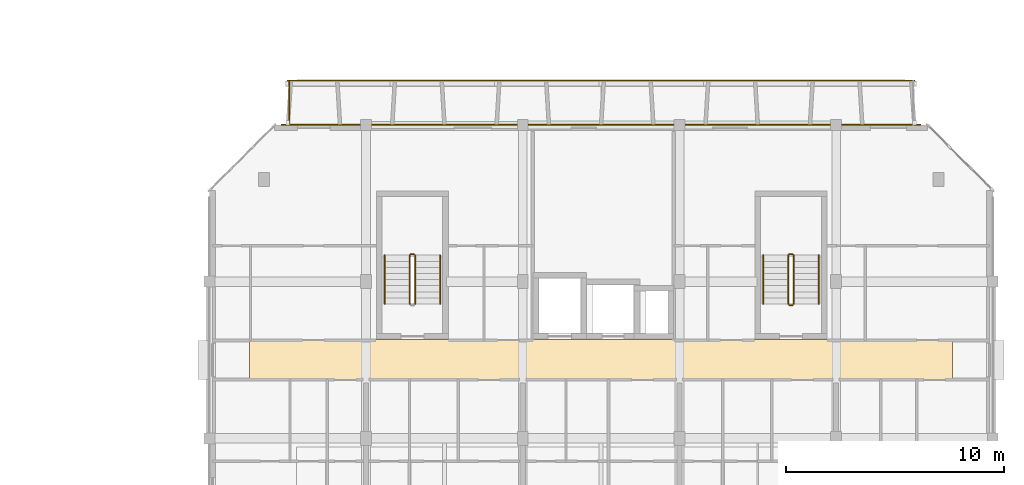
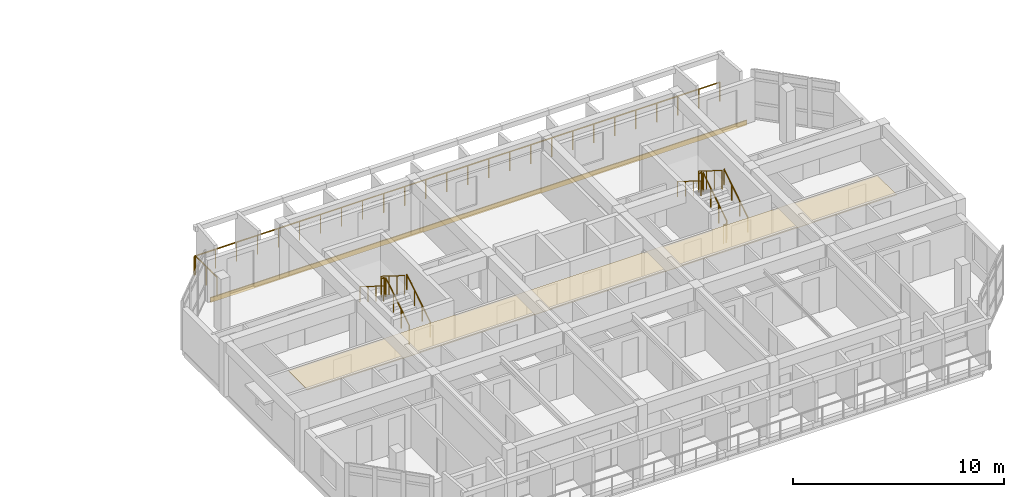
# One storey, part 42 of 45: 13 railings, 2 coverings.
"""IFC4 building model written with IfcOpenShell, lengths in metres."""

from ifc_helpers import new_model, si_unit, direction, frame, origin, origin_2d, place, context, subcontext, project, spatial, polyline, rectangle, circle, outline, extrude, material, layer, layer_set, type_object, element, save


model = new_model("IFC4")

# Units and contexts
model_context = context("Model", 3, precision=1e-05, world=origin(), true_north=direction((0.0, 1.0)))
body_context = subcontext(model_context, "Body", "Model", "MODEL_VIEW")
ifc_project = project(units=[si_unit("LENGTHUNIT", "METRE"), si_unit("AREAUNIT", "SQUARE_METRE"), si_unit("VOLUMEUNIT", "CUBIC_METRE"), si_unit("PLANEANGLEUNIT", "RADIAN"), si_unit("MASSUNIT", "GRAM", prefix="KILO")], contexts=[model_context])

# Site, building, storey
site_placement = place(None, origin())
site = spatial("IfcSite", under=ifc_project, at=site_placement, CompositionType="ELEMENT")
building_placement = place(site_placement, origin())
building = spatial("IfcBuilding", under=site, at=building_placement, Name="Ochrevale Crest", CompositionType="ELEMENT")
storey_placement = place(building_placement, frame((0.0, 0.0, 18.14990234375)))
storey = spatial("IfcBuildingStorey", under=building, at=storey_placement, Name="L05", CompositionType="ELEMENT", Elevation=18.14990234375)

# Coverings
ifc_material_1 = material(Name="Gypsum plasterboard", Category="gypsum")
ifc_layer_1 = layer(ifc_material_1, 0.02490234375)
ifc_layer_set_1 = layer_set([ifc_layer_1], Name="Gypsum plasterboard")
covering_type_1 = type_object("IfcCoveringType", Name="COV-CEIL-GYP", PredefinedType="CEILING", material=ifc_layer_set_1)
covering_1_placement = place(storey_placement, frame((0.0, 0.0, 2.280029296875)))
element("IfcCovering", 1, at=covering_1_placement, inside=storey, type_object=covering_type_1, Name="Block C L05 acoustic corridor ceiling", PredefinedType="CEILING", context=body_context, shape_type="SweptSolid", body=[
    extrude(outline(polyline([(131.449951171875, 24.260009765625), (163.75, 24.260009765625), (163.75, 26.139892578125), (131.449951171875, 26.139892578125), (131.449951171875, 24.260009765625)])), origin(), (0.0, 0.0, 1.0), 0.025146484375),
])
ifc_material_2 = material(Name="Glazed terracotta rainscreen tile", Category="masonry")
ifc_layer_2 = layer(ifc_material_2, 0.048095703125)
ifc_layer_set_2 = layer_set([ifc_layer_2], Name="Glazed terracotta rainscreen tile")
covering_type_2 = type_object("IfcCoveringType", Name="COV-CLAD-TER", PredefinedType="CLADDING", material=ifc_layer_set_2)
covering_2_placement = place(storey_placement, frame((147.60009765625, 36.012451171875, -0.259765625), z_axis=(0.0, 0.0, 1.0), x_axis=(-1.0, 0.0, 0.0)))
element("IfcCovering", 2, at=covering_2_placement, inside=storey, type_object=covering_type_2, Name="Block C L05 terracotta slab-edge spandrel cladding", PredefinedType="CLADDING", context=body_context, shape_type="SweptSolid", body=[
    extrude(rectangle(XDim=29.39990234375, YDim=0.06005859375, at=origin_2d()), origin(), (0.0, 0.0, 1.0), 0.280029296875),
])

# Railings
ifc_material_3 = material(Name="Galvanised steel", Category="steel")
railing_type_1 = type_object("IfcRailingType", Name="RL-BAL-1100", PredefinedType="BALUSTRADE", material=ifc_material_3)
railing_1_placement = place(storey_placement, frame((133.199951171875, 38.0400390625, 0.0)))
element("IfcRailing", 3, at=railing_1_placement, inside=storey, type_object=railing_type_1, Name="Block C L05 N balcony front balustrade", PredefinedType="BALUSTRADE", context=body_context, shape_type="SweptSolid", body=[
    extrude(circle(Radius=0.02392578125, at=origin_2d()), frame((0.0, 0.0, 1.0859375), z_axis=(1.0, 0.0, 0.0), x_axis=(0.0, 1.0, 0.0)), (0.0, 0.0, 1.0), 28.800048828125),
    extrude(circle(Radius=0.02099609375, at=origin_2d()), origin(), (0.0, 0.0, 1.0), 1.06201171875),
    extrude(circle(Radius=0.02099609375, at=origin_2d()), frame((1.152099609375, 0.0, 0.0)), (0.0, 0.0, 1.0), 1.06201171875),
    extrude(circle(Radius=0.02099609375, at=origin_2d()), frame((2.303955078125, 0.0, 0.0)), (0.0, 0.0, 1.0), 1.06201171875),
    extrude(circle(Radius=0.02099609375, at=origin_2d()), frame((3.4560546875, 0.0, 0.0)), (0.0, 0.0, 1.0), 1.06201171875),
    extrude(circle(Radius=0.02099609375, at=origin_2d()), frame((4.60791015625, 0.0, 0.0)), (0.0, 0.0, 1.0), 1.06201171875),
    extrude(circle(Radius=0.02099609375, at=origin_2d()), frame((5.760009765625, 0.0, 0.0)), (0.0, 0.0, 1.0), 1.06201171875),
    extrude(circle(Radius=0.02099609375, at=origin_2d()), frame((6.912109375, 0.0, 0.0)), (0.0, 0.0, 1.0), 1.06201171875),
    extrude(circle(Radius=0.02099609375, at=origin_2d()), frame((8.06396484375, 0.0, 0.0)), (0.0, 0.0, 1.0), 1.06201171875),
    extrude(circle(Radius=0.02099609375, at=origin_2d()), frame((9.216064453125, 0.0, 0.0)), (0.0, 0.0, 1.0), 1.06201171875),
    extrude(circle(Radius=0.02099609375, at=origin_2d()), frame((10.367919921875, 0.0, 0.0)), (0.0, 0.0, 1.0), 1.06201171875),
    extrude(circle(Radius=0.02099609375, at=origin_2d()), frame((11.52001953125, 0.0, 0.0)), (0.0, 0.0, 1.0), 1.06201171875),
    extrude(circle(Radius=0.02099609375, at=origin_2d()), frame((12.672119140625, 0.0, 0.0)), (0.0, 0.0, 1.0), 1.06201171875),
    extrude(circle(Radius=0.02099609375, at=origin_2d()), frame((13.823974609375, 0.0, 0.0)), (0.0, 0.0, 1.0), 1.06201171875),
    extrude(circle(Radius=0.02099609375, at=origin_2d()), frame((14.97607421875, 0.0, 0.0)), (0.0, 0.0, 1.0), 1.06201171875),
    extrude(circle(Radius=0.02099609375, at=origin_2d()), frame((16.1279296875, 0.0, 0.0)), (0.0, 0.0, 1.0), 1.06201171875),
    extrude(circle(Radius=0.02099609375, at=origin_2d()), frame((17.280029296875, 0.0, 0.0)), (0.0, 0.0, 1.0), 1.06201171875),
    extrude(circle(Radius=0.02099609375, at=origin_2d()), frame((18.43212890625, 0.0, 0.0)), (0.0, 0.0, 1.0), 1.06201171875),
    extrude(circle(Radius=0.02099609375, at=origin_2d()), frame((19.583984375, 0.0, 0.0)), (0.0, 0.0, 1.0), 1.06201171875),
    extrude(circle(Radius=0.02099609375, at=origin_2d()), frame((20.736083984375, 0.0, 0.0)), (0.0, 0.0, 1.0), 1.06201171875),
    extrude(circle(Radius=0.02099609375, at=origin_2d()), frame((21.887939453125, 0.0, 0.0)), (0.0, 0.0, 1.0), 1.06201171875),
    extrude(circle(Radius=0.02099609375, at=origin_2d()), frame((23.0400390625, 0.0, 0.0)), (0.0, 0.0, 1.0), 1.06201171875),
    extrude(circle(Radius=0.02099609375, at=origin_2d()), frame((24.192138671875, 0.0, 0.0)), (0.0, 0.0, 1.0), 1.06201171875),
    extrude(circle(Radius=0.02099609375, at=origin_2d()), frame((25.343994140625, 0.0, 0.0)), (0.0, 0.0, 1.0), 1.06201171875),
    extrude(circle(Radius=0.02099609375, at=origin_2d()), frame((26.49609375, 0.0, 0.0)), (0.0, 0.0, 1.0), 1.06201171875),
    extrude(circle(Radius=0.02099609375, at=origin_2d()), frame((27.64794921875, 0.0, 0.0)), (0.0, 0.0, 1.0), 1.06201171875),
    extrude(circle(Radius=0.02099609375, at=origin_2d()), frame((28.800048828125, 0.0, 0.0)), (0.0, 0.0, 1.0), 1.06201171875),
])
railing_2_placement = place(storey_placement, frame((133.260009765625, 36.0, 0.0)))
element("IfcRailing", 4, at=railing_2_placement, inside=storey, type_object=railing_type_1, Name="Block C L05 N-W balcony side guard", PredefinedType="BALUSTRADE", context=body_context, shape_type="SweptSolid", body=[
    extrude(circle(Radius=0.02392578125, at=origin_2d()), frame((0.0, 0.0, 1.0859375), z_axis=(0.0, 1.0, 0.0), x_axis=(-1.0, 0.0, 0.0)), (0.0, 0.0, 1.0), 2.0400390625),
    extrude(circle(Radius=0.02099609375, at=origin_2d()), origin(), (0.0, 0.0, 1.0), 1.06201171875),
    extrude(circle(Radius=0.02099609375, at=origin_2d()), frame((0.0, 1.02001953125, 0.0)), (0.0, 0.0, 1.0), 1.06201171875),
    extrude(circle(Radius=0.02099609375, at=origin_2d()), frame((0.0, 2.0400390625, 0.0)), (0.0, 0.0, 1.0), 1.06201171875),
])
railing_type_2 = type_object("IfcRailingType", Name="RL-ST-GUARD", PredefinedType="BALUSTRADE", material=ifc_material_3)
railing_3_placement = place(storey_placement, frame((139.050048828125, 27.77490234375, 0.175048828125)))
element("IfcRailing", 5, at=railing_3_placement, inside=storey, type_object=railing_type_2, Name="L05 ST-C1 stair guard 1", PredefinedType="BALUSTRADE", context=body_context, shape_type="SweptSolid", body=[
    extrude(circle(Radius=0.02392578125, at=origin_2d()), frame((0.0, 0.0, 1.076171875), z_axis=(0.0, 0.847972341737, 0.530040477369), x_axis=(-1.0, 0.0, 0.0)), (0.0, 0.0, 1.0), 2.6416015625),
    extrude(circle(Radius=0.02099609375, at=origin_2d()), origin(), (0.0, 0.0, 1.0), 1.052001953125),
    extrude(circle(Radius=0.02099609375, at=origin_2d()), frame((0.0, 0.74658203125, 0.466796875)), (0.0, 0.0, 1.0), 1.052001953125),
    extrude(circle(Radius=0.02099609375, at=origin_2d()), frame((0.0, 1.493408203125, 0.933349609375)), (0.0, 0.0, 1.0), 1.052001953125),
    extrude(circle(Radius=0.02099609375, at=origin_2d()), frame((0.0, 2.239990234375, 1.400146484375)), (0.0, 0.0, 1.0), 1.052001953125),
])
railing_4_placement = place(storey_placement, frame((139.0, 30.06494140625, 1.5751953125)))
element("IfcRailing", 6, at=railing_4_placement, inside=storey, type_object=railing_type_2, Name="L05 ST-C1 stair guard 2", PredefinedType="BALUSTRADE", context=body_context, shape_type="SweptSolid", body=[
    extrude(circle(Radius=0.02392578125, at=origin_2d()), frame((0.0, 0.0, 1.076171875), z_axis=(-1.0, 0.0, 0.0), x_axis=(0.0, -1.0, 0.0)), (0.0, 0.0, 1.0), 0.14990234375),
    extrude(circle(Radius=0.02099609375, at=origin_2d()), origin(), (0.0, 0.0, 1.0), 1.052001953125),
    extrude(circle(Radius=0.02099609375, at=origin_2d()), frame((-0.14990234375, 0.0, 0.0)), (0.0, 0.0, 1.0), 1.052001953125),
])
railing_5_placement = place(storey_placement, frame((138.800048828125, 30.014892578125, 1.75)))
element("IfcRailing", 7, at=railing_5_placement, inside=storey, type_object=railing_type_2, Name="L05 ST-C1 stair guard 3", PredefinedType="BALUSTRADE", context=body_context, shape_type="SweptSolid", body=[
    extrude(circle(Radius=0.02392578125, at=origin_2d()), frame((0.0, 0.0, 1.076171875), z_axis=(0.0, -0.847972341737, 0.530040477369), x_axis=(1.0, 0.0, 0.0)), (0.0, 0.0, 1.0), 2.6416015625),
    extrude(circle(Radius=0.02099609375, at=origin_2d()), origin(), (0.0, 0.0, 1.0), 1.052001953125),
    extrude(circle(Radius=0.02099609375, at=origin_2d()), frame((0.0, -0.74658203125, 0.466796875)), (0.0, 0.0, 1.0), 1.052001953125),
    extrude(circle(Radius=0.02099609375, at=origin_2d()), frame((0.0, -1.493408203125, 0.933349609375)), (0.0, 0.0, 1.0), 1.052001953125),
    extrude(circle(Radius=0.02099609375, at=origin_2d()), frame((0.0, -2.239990234375, 1.400146484375)), (0.0, 0.0, 1.0), 1.052001953125),
])
railing_6_placement = place(storey_placement, frame((156.449951171875, 27.77490234375, 0.175048828125)))
element("IfcRailing", 8, at=railing_6_placement, inside=storey, type_object=railing_type_2, Name="L05 ST-C2 stair guard 1", PredefinedType="BALUSTRADE", context=body_context, shape_type="SweptSolid", body=[
    extrude(circle(Radius=0.02392578125, at=origin_2d()), frame((0.0, 0.0, 1.076171875), z_axis=(0.0, 0.847972341737, 0.530040477369), x_axis=(-1.0, 0.0, 0.0)), (0.0, 0.0, 1.0), 2.6416015625),
    extrude(circle(Radius=0.02099609375, at=origin_2d()), origin(), (0.0, 0.0, 1.0), 1.052001953125),
    extrude(circle(Radius=0.02099609375, at=origin_2d()), frame((0.0, 0.74658203125, 0.466796875)), (0.0, 0.0, 1.0), 1.052001953125),
    extrude(circle(Radius=0.02099609375, at=origin_2d()), frame((0.0, 1.493408203125, 0.933349609375)), (0.0, 0.0, 1.0), 1.052001953125),
    extrude(circle(Radius=0.02099609375, at=origin_2d()), frame((0.0, 2.239990234375, 1.400146484375)), (0.0, 0.0, 1.0), 1.052001953125),
])
railing_7_placement = place(storey_placement, frame((156.39990234375, 30.06494140625, 1.5751953125)))
element("IfcRailing", 9, at=railing_7_placement, inside=storey, type_object=railing_type_2, Name="L05 ST-C2 stair guard 2", PredefinedType="BALUSTRADE", context=body_context, shape_type="SweptSolid", body=[
    extrude(circle(Radius=0.02392578125, at=origin_2d()), frame((0.0, 0.0, 1.076171875), z_axis=(-1.0, 0.0, 0.0), x_axis=(0.0, -1.0, 0.0)), (0.0, 0.0, 1.0), 0.14990234375),
    extrude(circle(Radius=0.02099609375, at=origin_2d()), origin(), (0.0, 0.0, 1.0), 1.052001953125),
    extrude(circle(Radius=0.02099609375, at=origin_2d()), frame((-0.14990234375, 0.0, 0.0)), (0.0, 0.0, 1.0), 1.052001953125),
])
railing_8_placement = place(storey_placement, frame((156.199951171875, 30.014892578125, 1.75)))
element("IfcRailing", 10, at=railing_8_placement, inside=storey, type_object=railing_type_2, Name="L05 ST-C2 stair guard 3", PredefinedType="BALUSTRADE", context=body_context, shape_type="SweptSolid", body=[
    extrude(circle(Radius=0.02392578125, at=origin_2d()), frame((0.0, 0.0, 1.076171875), z_axis=(0.0, -0.847972341737, 0.530040477369), x_axis=(1.0, 0.0, 0.0)), (0.0, 0.0, 1.0), 2.6416015625),
    extrude(circle(Radius=0.02099609375, at=origin_2d()), origin(), (0.0, 0.0, 1.0), 1.052001953125),
    extrude(circle(Radius=0.02099609375, at=origin_2d()), frame((0.0, -0.74658203125, 0.466796875)), (0.0, 0.0, 1.0), 1.052001953125),
    extrude(circle(Radius=0.02099609375, at=origin_2d()), frame((0.0, -1.493408203125, 0.933349609375)), (0.0, 0.0, 1.0), 1.052001953125),
    extrude(circle(Radius=0.02099609375, at=origin_2d()), frame((0.0, -2.239990234375, 1.400146484375)), (0.0, 0.0, 1.0), 1.052001953125),
])
railing_9_placement = place(storey_placement, frame((156.39990234375, 27.72509765625, 0.0)))
element("IfcRailing", 11, at=railing_9_placement, inside=storey, type_object=railing_type_2, Name="L05 ST-C2 stair guard 4", PredefinedType="BALUSTRADE", context=body_context, shape_type="SweptSolid", body=[
    extrude(circle(Radius=0.02392578125, at=origin_2d()), frame((0.0, 0.0, 1.076171875), z_axis=(-1.0, 0.0, 0.0), x_axis=(0.0, -1.0, 0.0)), (0.0, 0.0, 1.0), 0.14990234375),
    extrude(circle(Radius=0.02099609375, at=origin_2d()), origin(), (0.0, 0.0, 1.0), 1.052001953125),
    extrude(circle(Radius=0.02099609375, at=origin_2d()), frame((-0.14990234375, 0.0, 0.0)), (0.0, 0.0, 1.0), 1.052001953125),
])
ifc_material_4 = material(Name="Stainless steel", Category="steel")
railing_type_3 = type_object("IfcRailingType", Name="RL-ST-HRAIL", PredefinedType="HANDRAIL", material=ifc_material_4)
railing_10_placement = place(storey_placement, frame((140.199951171875, 27.77490234375, 0.175048828125)))
element("IfcRailing", 12, at=railing_10_placement, inside=storey, type_object=railing_type_3, Name="L05 ST-C1 stair handrail 1", PredefinedType="HANDRAIL", context=body_context, shape_type="SweptSolid", body=[
    extrude(circle(Radius=0.02392578125, at=origin_2d()), frame((0.0, 0.0, 0.8759765625), z_axis=(0.0, 0.847972341737, 0.530040477369), x_axis=(-1.0, 0.0, 0.0)), (0.0, 0.0, 1.0), 2.6416015625),
    extrude(circle(Radius=0.02099609375, at=origin_2d()), origin(), (0.0, 0.0, 1.0), 0.851806640625),
    extrude(circle(Radius=0.02099609375, at=origin_2d()), frame((0.0, 0.74658203125, 0.466796875)), (0.0, 0.0, 1.0), 0.851806640625),
    extrude(circle(Radius=0.02099609375, at=origin_2d()), frame((0.0, 1.493408203125, 0.933349609375)), (0.0, 0.0, 1.0), 0.851806640625),
    extrude(circle(Radius=0.02099609375, at=origin_2d()), frame((0.0, 2.239990234375, 1.400146484375)), (0.0, 0.0, 1.0), 0.851806640625),
])
railing_11_placement = place(storey_placement, frame((137.64990234375, 30.014892578125, 1.75)))
element("IfcRailing", 13, at=railing_11_placement, inside=storey, type_object=railing_type_3, Name="L05 ST-C1 stair handrail 2", PredefinedType="HANDRAIL", context=body_context, shape_type="SweptSolid", body=[
    extrude(circle(Radius=0.02392578125, at=origin_2d()), frame((0.0, 0.0, 0.8759765625), z_axis=(0.0, -0.847972341737, 0.530040477369), x_axis=(1.0, 0.0, 0.0)), (0.0, 0.0, 1.0), 2.6416015625),
    extrude(circle(Radius=0.02099609375, at=origin_2d()), origin(), (0.0, 0.0, 1.0), 0.851806640625),
    extrude(circle(Radius=0.02099609375, at=origin_2d()), frame((0.0, -0.74658203125, 0.466796875)), (0.0, 0.0, 1.0), 0.851806640625),
    extrude(circle(Radius=0.02099609375, at=origin_2d()), frame((0.0, -1.493408203125, 0.933349609375)), (0.0, 0.0, 1.0), 0.851806640625),
    extrude(circle(Radius=0.02099609375, at=origin_2d()), frame((0.0, -2.239990234375, 1.400146484375)), (0.0, 0.0, 1.0), 0.851806640625),
])
railing_12_placement = place(storey_placement, frame((157.60009765625, 27.77490234375, 0.175048828125)))
element("IfcRailing", 14, at=railing_12_placement, inside=storey, type_object=railing_type_3, Name="L05 ST-C2 stair handrail 1", PredefinedType="HANDRAIL", context=body_context, shape_type="SweptSolid", body=[
    extrude(circle(Radius=0.02392578125, at=origin_2d()), frame((0.0, 0.0, 0.8759765625), z_axis=(0.0, 0.847972341737, 0.530040477369), x_axis=(-1.0, 0.0, 0.0)), (0.0, 0.0, 1.0), 2.6416015625),
    extrude(circle(Radius=0.02099609375, at=origin_2d()), origin(), (0.0, 0.0, 1.0), 0.851806640625),
    extrude(circle(Radius=0.02099609375, at=origin_2d()), frame((0.0, 0.74658203125, 0.466796875)), (0.0, 0.0, 1.0), 0.851806640625),
    extrude(circle(Radius=0.02099609375, at=origin_2d()), frame((0.0, 1.493408203125, 0.933349609375)), (0.0, 0.0, 1.0), 0.851806640625),
    extrude(circle(Radius=0.02099609375, at=origin_2d()), frame((0.0, 2.239990234375, 1.400146484375)), (0.0, 0.0, 1.0), 0.851806640625),
])
railing_13_placement = place(storey_placement, frame((155.050048828125, 30.014892578125, 1.75)))
element("IfcRailing", 15, at=railing_13_placement, inside=storey, type_object=railing_type_3, Name="L05 ST-C2 stair handrail 2", PredefinedType="HANDRAIL", context=body_context, shape_type="SweptSolid", body=[
    extrude(circle(Radius=0.02392578125, at=origin_2d()), frame((0.0, 0.0, 0.8759765625), z_axis=(0.0, -0.847972341737, 0.530040477369), x_axis=(1.0, 0.0, 0.0)), (0.0, 0.0, 1.0), 2.6416015625),
    extrude(circle(Radius=0.02099609375, at=origin_2d()), origin(), (0.0, 0.0, 1.0), 0.851806640625),
    extrude(circle(Radius=0.02099609375, at=origin_2d()), frame((0.0, -0.74658203125, 0.466796875)), (0.0, 0.0, 1.0), 0.851806640625),
    extrude(circle(Radius=0.02099609375, at=origin_2d()), frame((0.0, -1.493408203125, 0.933349609375)), (0.0, 0.0, 1.0), 0.851806640625),
    extrude(circle(Radius=0.02099609375, at=origin_2d()), frame((0.0, -2.239990234375, 1.400146484375)), (0.0, 0.0, 1.0), 0.851806640625),
])

save(model, "model.ifc")
